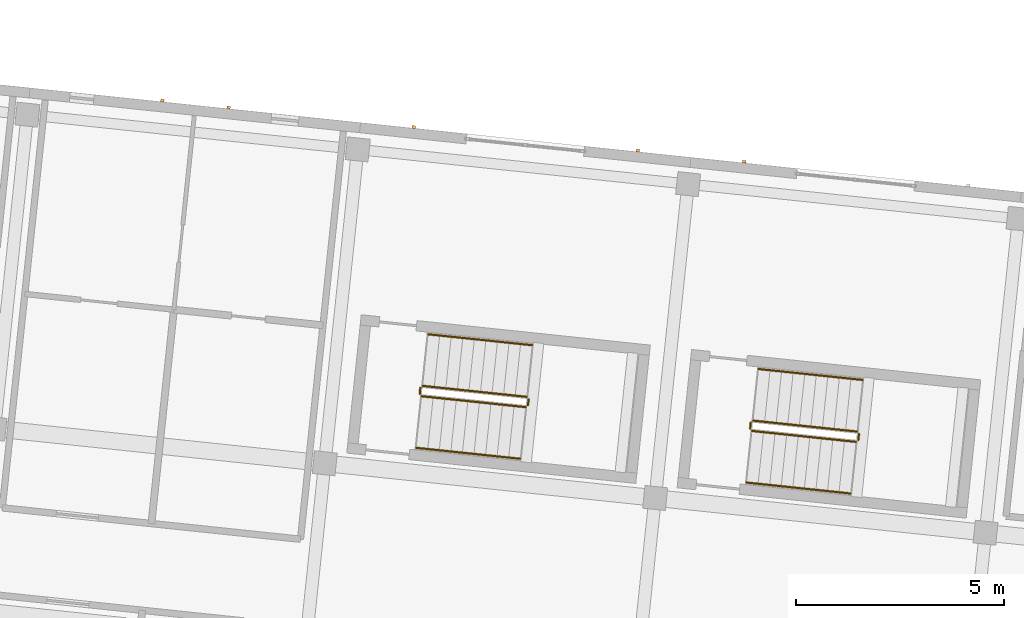
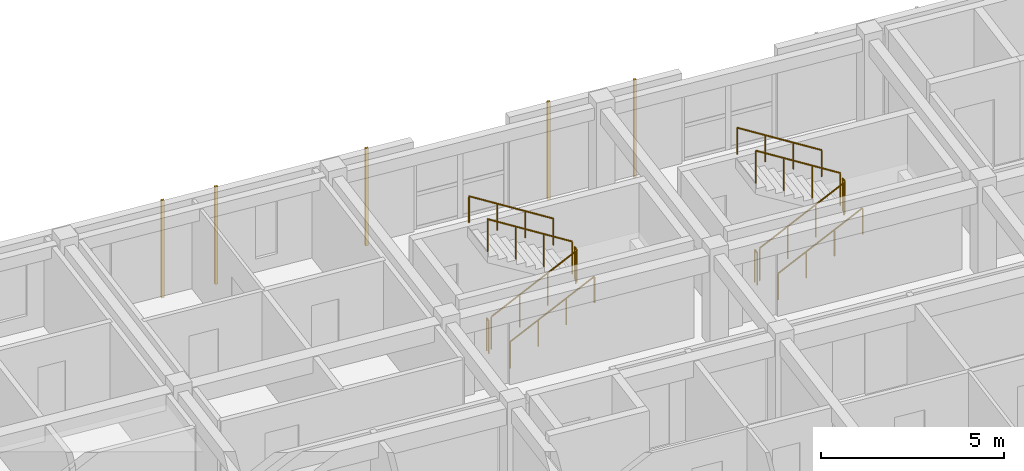
# One storey, part 67 of 68: 12 railings, 5 coverings.
"""IFC4 building model written with IfcOpenShell, lengths in metres."""

from ifc_helpers import new_model, si_unit, direction, frame, origin, origin_2d, place, context, subcontext, project, spatial, rectangle, circle, extrude, material, layer, layer_set, type_object, element, save


model = new_model("IFC4")

# Units and contexts
model_context = context("Model", 3, precision=1e-05, world=origin(), true_north=direction((0.0, 1.0)))
body_context = subcontext(model_context, "Body", "Model", "MODEL_VIEW")
ifc_project = project(units=[si_unit("LENGTHUNIT", "METRE"), si_unit("AREAUNIT", "SQUARE_METRE"), si_unit("VOLUMEUNIT", "CUBIC_METRE"), si_unit("PLANEANGLEUNIT", "RADIAN"), si_unit("MASSUNIT", "GRAM", prefix="KILO")], contexts=[model_context])

# Site, building, storey
site_placement = place(None, origin())
site = spatial("IfcSite", under=ifc_project, at=site_placement, CompositionType="ELEMENT")
building_placement = place(site_placement, origin())
building = spatial("IfcBuilding", under=site, at=building_placement, Name="Kestramere Prow Commons", CompositionType="ELEMENT")
storey_placement = place(building_placement, frame((0.0, 0.0, 18.14990234375)))
storey = spatial("IfcBuildingStorey", under=building, at=storey_placement, Name="L05", CompositionType="ELEMENT", Elevation=18.14990234375)

# Coverings
ifc_material_1 = material(Name="Weathered Zinc-Titanium Standing-Seam Cladding")
ifc_layer = layer(ifc_material_1, 0.074951171875)
ifc_layer_set = layer_set([ifc_layer], Name="Weathered Zinc-Titanium Standing-Seam Cladding")
covering_type = type_object("IfcCoveringType", Name="COV-CLAD-SEAM", PredefinedType="CLADDING", material=ifc_layer_set)
for number, where, z_axis, x_axis, name in (
    (1, (131.21435546875, 112.95947265625, -0.25), (0.0, 0.0, 1.0), (0.994521895368, -0.104528463268, 0.0), "EW-B-L05-N-2 Standing-Seam Rib 2"),
    (2, (132.8056640625, 112.792236328125, -0.25), (0.0, 0.0, 1.0), (0.994521895368, -0.104528463268, 0.0), "EW-B-L05-N-2 Standing-Seam Rib 3"),
    (3, (137.2685546875, 112.3232421875, -0.25), (0.0, 0.0, 1.0), (0.994521895368, -0.104528463268, 0.0), "EW-B-L05-NP-3-L Standing-Seam Rib 1"),
    (4, (142.663818359375, 111.756103515625, -0.25), (0.0, 0.0, 1.0), (0.994521895368, -0.104528463268, 0.0), "EW-B-L05-NP-3-R Standing-Seam Rib 1"),
    (5, (145.224609375, 111.48681640625, -0.25), (0.0, 0.0, 1.0), (0.994521895368, -0.104528463268, 0.0), "EW-B-L05-NP-4-L Standing-Seam Rib 1"),
):
    element("IfcCovering", number, at=place(storey_placement, frame(where, z_axis=z_axis, x_axis=x_axis)), inside=storey, type_object=covering_type, Name=name, PredefinedType="CLADDING", context=body_context, shape_type="SweptSolid", body=[
        extrude(rectangle(XDim=0.0849609375, YDim=0.06494140625, at=origin_2d()), origin(), (0.0, 0.0, 1.0), 3.25),
    ])

# Railings
ifc_material_2 = material(Name="Galvanised Steel S275JR", Category="steel")
railing_type_1 = type_object("IfcRailingType", Name="RL-ST-GR-1100", PredefinedType="GUARDRAIL", material=ifc_material_2)
railing_1_placement = place(storey_placement, frame((137.454345703125, 105.8408203125, 0.16259765625)))
element("IfcRailing", 6, at=railing_1_placement, inside=storey, type_object=railing_type_1, Name="L05 ST-B1 stair guard 1", PredefinedType="GUARDRAIL", context=body_context, shape_type="SweptSolid", body=[
    extrude(circle(Radius=0.02392578125, at=origin_2d()), frame((0.0, 0.0, 1.076171875), z_axis=(0.860186756994, -0.09040926464, 0.501901293044), x_axis=(0.104528455675, 0.994521896166, 0.0)), (0.0, 0.0, 1.0), 2.913818359375),
    extrude(circle(Radius=0.02099609375, at=origin_2d()), origin(), (0.0, 0.0, 1.0), 1.052001953125),
    extrude(circle(Radius=0.02099609375, at=origin_2d()), frame((0.83544921875, -0.087890625, 0.487548828125)), (0.0, 0.0, 1.0), 1.052001953125),
    extrude(circle(Radius=0.02099609375, at=origin_2d()), frame((1.6708984375, -0.175537109375, 0.974853515625)), (0.0, 0.0, 1.0), 1.052001953125),
    extrude(circle(Radius=0.02099609375, at=origin_2d()), frame((2.50634765625, -0.263427734375, 1.46240234375)), (0.0, 0.0, 1.0), 1.052001953125),
])
railing_2_placement = place(storey_placement, frame((140.015625, 105.621826171875, 1.625)))
element("IfcRailing", 7, at=railing_2_placement, inside=storey, type_object=railing_type_1, Name="L05 ST-B1 stair guard 2", PredefinedType="GUARDRAIL", context=body_context, shape_type="SweptSolid", body=[
    extrude(circle(Radius=0.02392578125, at=origin_2d()), frame((0.0, 0.0, 1.076171875), z_axis=(0.104176375855, 0.994558838236, 0.0), x_axis=(-0.994558838236, 0.104176375855, 0.0)), (0.0, 0.0, 1.0), 0.14990234375),
    extrude(circle(Radius=0.02099609375, at=origin_2d()), origin(), (0.0, 0.0, 1.0), 1.052001953125),
    extrude(circle(Radius=0.02099609375, at=origin_2d()), frame((0.015625, 0.149169921875, 0.0)), (0.0, 0.0, 1.0), 1.052001953125),
])
railing_3_placement = place(storey_placement, frame((139.98681640625, 105.825927734375, 1.78759765625)))
element("IfcRailing", 8, at=railing_3_placement, inside=storey, type_object=railing_type_1, Name="L05 ST-B1 stair guard 3", PredefinedType="GUARDRAIL", context=body_context, shape_type="SweptSolid", body=[
    extrude(circle(Radius=0.02392578125, at=origin_2d()), frame((0.0, 0.0, 1.076171875), z_axis=(-0.860164962675, 0.090415781269, 0.501937469695), x_axis=(-0.104538527394, -0.994520837534, 0.0)), (0.0, 0.0, 1.0), 2.91357421875),
    extrude(circle(Radius=0.02099609375, at=origin_2d()), origin(), (0.0, 0.0, 1.0), 1.052001953125),
    extrude(circle(Radius=0.02099609375, at=origin_2d()), frame((-0.83544921875, 0.087890625, 0.487548828125)), (0.0, 0.0, 1.0), 1.052001953125),
    extrude(circle(Radius=0.02099609375, at=origin_2d()), frame((-1.670654296875, 0.175537109375, 0.974853515625)), (0.0, 0.0, 1.0), 1.052001953125),
    extrude(circle(Radius=0.02099609375, at=origin_2d()), frame((-2.506103515625, 0.263427734375, 1.46240234375)), (0.0, 0.0, 1.0), 1.052001953125),
])
railing_4_placement = place(storey_placement, frame((137.409912109375, 105.895751953125, 0.0)))
element("IfcRailing", 9, at=railing_4_placement, inside=storey, type_object=railing_type_1, Name="L05 ST-B1 stair guard 4", PredefinedType="GUARDRAIL", context=body_context, shape_type="SweptSolid", body=[
    extrude(circle(Radius=0.02392578125, at=origin_2d()), frame((0.0, 0.0, 1.076171875), z_axis=(0.104176375855, 0.994558838236, 0.0), x_axis=(-0.994558838236, 0.104176375855, 0.0)), (0.0, 0.0, 1.0), 0.14990234375),
    extrude(circle(Radius=0.02099609375, at=origin_2d()), origin(), (0.0, 0.0, 1.0), 1.052001953125),
    extrude(circle(Radius=0.02099609375, at=origin_2d()), frame((0.015625, 0.149169921875, 0.0)), (0.0, 0.0, 1.0), 1.052001953125),
])
railing_5_placement = place(storey_placement, frame((145.41064453125, 105.00439453125, 0.16259765625)))
element("IfcRailing", 10, at=railing_5_placement, inside=storey, type_object=railing_type_1, Name="L05 ST-B2 stair guard 1", PredefinedType="GUARDRAIL", context=body_context, shape_type="SweptSolid", body=[
    extrude(circle(Radius=0.02392578125, at=origin_2d()), frame((0.0, 0.0, 1.076171875), z_axis=(0.860164962675, -0.090415781269, 0.501937469695), x_axis=(0.104538527394, 0.994520837534, 0.0)), (0.0, 0.0, 1.0), 2.91357421875),
    extrude(circle(Radius=0.02099609375, at=origin_2d()), origin(), (0.0, 0.0, 1.0), 1.052001953125),
    extrude(circle(Radius=0.02099609375, at=origin_2d()), frame((0.83544921875, -0.087890625, 0.487548828125)), (0.0, 0.0, 1.0), 1.052001953125),
    extrude(circle(Radius=0.02099609375, at=origin_2d()), frame((1.670654296875, -0.175537109375, 0.974853515625)), (0.0, 0.0, 1.0), 1.052001953125),
    extrude(circle(Radius=0.02099609375, at=origin_2d()), frame((2.506103515625, -0.263427734375, 1.46240234375)), (0.0, 0.0, 1.0), 1.052001953125),
])
railing_6_placement = place(storey_placement, frame((147.9716796875, 104.78564453125, 1.625)))
element("IfcRailing", 11, at=railing_6_placement, inside=storey, type_object=railing_type_1, Name="L05 ST-B2 stair guard 2", PredefinedType="GUARDRAIL", context=body_context, shape_type="SweptSolid", body=[
    extrude(circle(Radius=0.02392578125, at=origin_2d()), frame((0.0, 0.0, 1.076171875), z_axis=(0.105786054594, 0.994388913179, 0.0), x_axis=(-0.994388913179, 0.105786054594, 0.0)), (0.0, 0.0, 1.0), 0.14990234375),
    extrude(circle(Radius=0.02099609375, at=origin_2d()), origin(), (0.0, 0.0, 1.0), 1.052001953125),
    extrude(circle(Radius=0.02099609375, at=origin_2d()), frame((0.015869140625, 0.149169921875, 0.0)), (0.0, 0.0, 1.0), 1.052001953125),
])
railing_7_placement = place(storey_placement, frame((147.94287109375, 104.98974609375, 1.78759765625)))
element("IfcRailing", 12, at=railing_7_placement, inside=storey, type_object=railing_type_1, Name="L05 ST-B2 stair guard 3", PredefinedType="GUARDRAIL", context=body_context, shape_type="SweptSolid", body=[
    extrude(circle(Radius=0.02392578125, at=origin_2d()), frame((0.0, 0.0, 1.076171875), z_axis=(-0.860164962675, 0.090415781269, 0.501937469695), x_axis=(-0.104538527394, -0.994520837534, 0.0)), (0.0, 0.0, 1.0), 2.91357421875),
    extrude(circle(Radius=0.02099609375, at=origin_2d()), origin(), (0.0, 0.0, 1.0), 1.052001953125),
    extrude(circle(Radius=0.02099609375, at=origin_2d()), frame((-0.83544921875, 0.087890625, 0.487548828125)), (0.0, 0.0, 1.0), 1.052001953125),
    extrude(circle(Radius=0.02099609375, at=origin_2d()), frame((-1.670654296875, 0.175537109375, 0.974853515625)), (0.0, 0.0, 1.0), 1.052001953125),
    extrude(circle(Radius=0.02099609375, at=origin_2d()), frame((-2.506103515625, 0.263427734375, 1.46240234375)), (0.0, 0.0, 1.0), 1.052001953125),
])
railing_8_placement = place(storey_placement, frame((145.3662109375, 105.059326171875, 0.0)))
element("IfcRailing", 13, at=railing_8_placement, inside=storey, type_object=railing_type_1, Name="L05 ST-B2 stair guard 4", PredefinedType="GUARDRAIL", context=body_context, shape_type="SweptSolid", body=[
    extrude(circle(Radius=0.02392578125, at=origin_2d()), frame((0.0, 0.0, 1.076171875), z_axis=(0.104176375855, 0.994558838236, 0.0), x_axis=(-0.994558838236, 0.104176375855, 0.0)), (0.0, 0.0, 1.0), 0.14990234375),
    extrude(circle(Radius=0.02099609375, at=origin_2d()), origin(), (0.0, 0.0, 1.0), 1.052001953125),
    extrude(circle(Radius=0.02099609375, at=origin_2d()), frame((0.015625, 0.149169921875, 0.0)), (0.0, 0.0, 1.0), 1.052001953125),
])
ifc_material_3 = material(Name="Stainless Steel 304", Category="steel")
railing_type_2 = type_object("IfcRailingType", Name="RL-ST-HR-900", PredefinedType="HANDRAIL", material=ifc_material_3)
railing_9_placement = place(storey_placement, frame((137.32373046875, 104.59765625, 0.3251953125)))
element("IfcRailing", 14, at=railing_9_placement, inside=storey, type_object=railing_type_2, Name="L05 ST-B1 stair handrail 1", PredefinedType="HANDRAIL", context=body_context, shape_type="SweptSolid", body=[
    extrude(circle(Radius=0.02392578125, at=origin_2d()), frame((0.0, 0.0, 0.8759765625), z_axis=(0.860186756994, -0.09040926464, 0.501901293044), x_axis=(0.104528455675, 0.994521896166, 0.0)), (0.0, 0.0, 1.0), 2.913818359375),
    extrude(circle(Radius=0.02099609375, at=origin_2d()), origin(), (0.0, 0.0, 1.0), 0.851806640625),
    extrude(circle(Radius=0.02099609375, at=origin_2d()), frame((0.83544921875, -0.087890625, 0.487548828125)), (0.0, 0.0, 1.0), 0.851806640625),
    extrude(circle(Radius=0.02099609375, at=origin_2d()), frame((1.6708984375, -0.175537109375, 0.974853515625)), (0.0, 0.0, 1.0), 0.851806640625),
    extrude(circle(Radius=0.02099609375, at=origin_2d()), frame((2.50634765625, -0.263427734375, 1.46240234375)), (0.0, 0.0, 1.0), 0.851806640625),
])
railing_10_placement = place(storey_placement, frame((140.117431640625, 107.069091796875, 1.9501953125)))
element("IfcRailing", 15, at=railing_10_placement, inside=storey, type_object=railing_type_2, Name="L05 ST-B1 stair handrail 2", PredefinedType="HANDRAIL", context=body_context, shape_type="SweptSolid", body=[
    extrude(circle(Radius=0.02392578125, at=origin_2d()), frame((0.0, 0.0, 0.8759765625), z_axis=(-0.860164962675, 0.090415781269, 0.501937469695), x_axis=(-0.104538527394, -0.994520837534, 0.0)), (0.0, 0.0, 1.0), 2.91357421875),
    extrude(circle(Radius=0.02099609375, at=origin_2d()), origin(), (0.0, 0.0, 1.0), 0.851806640625),
    extrude(circle(Radius=0.02099609375, at=origin_2d()), frame((-0.83544921875, 0.087890625, 0.487548828125)), (0.0, 0.0, 1.0), 0.851806640625),
    extrude(circle(Radius=0.02099609375, at=origin_2d()), frame((-1.670654296875, 0.175537109375, 0.974853515625)), (0.0, 0.0, 1.0), 0.851806640625),
    extrude(circle(Radius=0.02099609375, at=origin_2d()), frame((-2.506103515625, 0.263427734375, 1.46240234375)), (0.0, 0.0, 1.0), 0.851806640625),
])
railing_11_placement = place(storey_placement, frame((145.280029296875, 103.76123046875, 0.3251953125)))
element("IfcRailing", 16, at=railing_11_placement, inside=storey, type_object=railing_type_2, Name="L05 ST-B2 stair handrail 1", PredefinedType="HANDRAIL", context=body_context, shape_type="SweptSolid", body=[
    extrude(circle(Radius=0.02392578125, at=origin_2d()), frame((0.0, 0.0, 0.8759765625), z_axis=(0.860164962675, -0.090415781269, 0.501937469695), x_axis=(0.104538527394, 0.994520837534, 0.0)), (0.0, 0.0, 1.0), 2.91357421875),
    extrude(circle(Radius=0.02099609375, at=origin_2d()), origin(), (0.0, 0.0, 1.0), 0.851806640625),
    extrude(circle(Radius=0.02099609375, at=origin_2d()), frame((0.83544921875, -0.087890625, 0.487548828125)), (0.0, 0.0, 1.0), 0.851806640625),
    extrude(circle(Radius=0.02099609375, at=origin_2d()), frame((1.670654296875, -0.175537109375, 0.974853515625)), (0.0, 0.0, 1.0), 0.851806640625),
    extrude(circle(Radius=0.02099609375, at=origin_2d()), frame((2.506103515625, -0.263427734375, 1.46240234375)), (0.0, 0.0, 1.0), 0.851806640625),
])
railing_12_placement = place(storey_placement, frame((148.07373046875, 106.23291015625, 1.9501953125)))
element("IfcRailing", 17, at=railing_12_placement, inside=storey, type_object=railing_type_2, Name="L05 ST-B2 stair handrail 2", PredefinedType="HANDRAIL", context=body_context, shape_type="SweptSolid", body=[
    extrude(circle(Radius=0.02392578125, at=origin_2d()), frame((0.0, 0.0, 0.8759765625), z_axis=(-0.860186756994, 0.09040926464, 0.501901293044), x_axis=(-0.104528455675, -0.994521896166, 0.0)), (0.0, 0.0, 1.0), 2.913818359375),
    extrude(circle(Radius=0.02099609375, at=origin_2d()), origin(), (0.0, 0.0, 1.0), 0.851806640625),
    extrude(circle(Radius=0.02099609375, at=origin_2d()), frame((-0.83544921875, 0.087890625, 0.487548828125)), (0.0, 0.0, 1.0), 0.851806640625),
    extrude(circle(Radius=0.02099609375, at=origin_2d()), frame((-1.6708984375, 0.175537109375, 0.974853515625)), (0.0, 0.0, 1.0), 0.851806640625),
    extrude(circle(Radius=0.02099609375, at=origin_2d()), frame((-2.50634765625, 0.263427734375, 1.46240234375)), (0.0, 0.0, 1.0), 0.851806640625),
])

save(model, "model.ifc")
